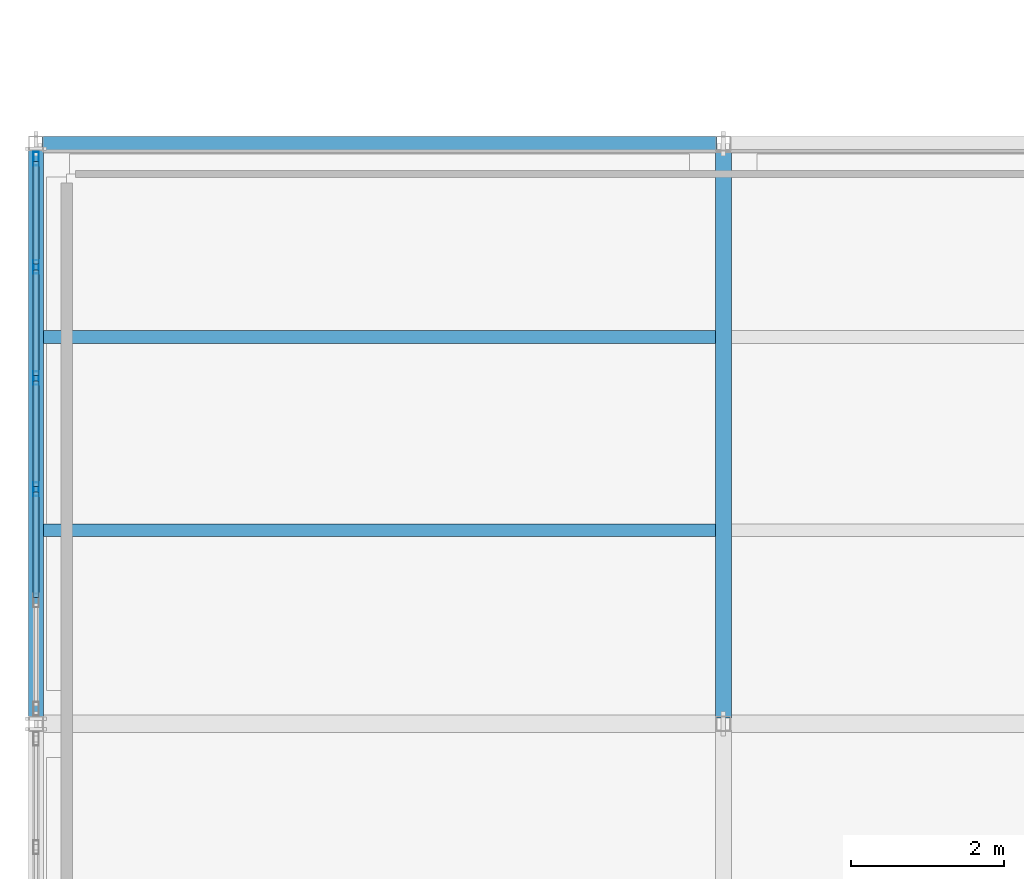
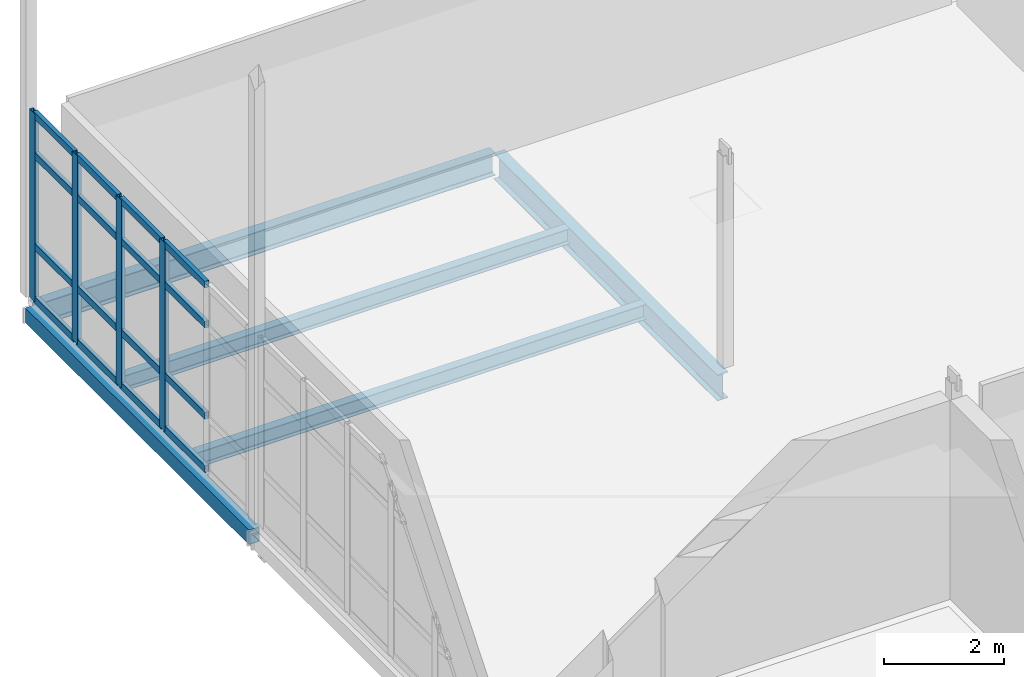
# One storey, part 22 of 96: 20 members, 5 beams, 1 element without a shape of its own.
"""IFC4 building model written with IfcOpenShell, lengths in metres."""

from ifc_helpers import new_model, si_unit, direction, frame, origin, origin_2d, place, context, subcontext, project, spatial, hollow_rectangle, i_section, extrude, material, material_profile, profile_set, type_object, element, aggregate, save


model = new_model("IFC4")

# Units and contexts
model_context = context("Model", 3, precision=1e-05, world=origin(), true_north=direction((0.0, 1.0)))
body_context = subcontext(model_context, "Body", "Model", "MODEL_VIEW")
ifc_project = project(units=[si_unit("LENGTHUNIT", "METRE"), si_unit("AREAUNIT", "SQUARE_METRE"), si_unit("VOLUMEUNIT", "CUBIC_METRE"), si_unit("PLANEANGLEUNIT", "RADIAN"), si_unit("MASSUNIT", "GRAM", prefix="KILO")], contexts=[model_context])

# Site, building, storey
site_placement = place(None, origin())
site = spatial("IfcSite", under=ifc_project, at=site_placement, CompositionType="ELEMENT")
building_placement = place(site_placement, origin())
building = spatial("IfcBuilding", under=site, at=building_placement, Name="Caisbarro Railhouse Central Library", CompositionType="ELEMENT")
storey_placement = place(building_placement, frame((0.0, 0.0, 13.679931640625)))
storey = spatial("IfcBuildingStorey", under=building, at=storey_placement, Name="L03", CompositionType="ELEMENT", Elevation=13.679931640625)

# Beams
ifc_material_1 = material(Name="Steel ASTM A572 Grade 50", Category="steel")
ifc_material_profile_1 = material_profile(ifc_material_1, i_section(OverallWidth=0.208984375, OverallDepth=0.532958984375, WebThickness=0.01025390625, FlangeThickness=0.015625, FilletRadius=0.02001953125, at=origin_2d()), Name="W530X92.0")
ifc_profile_set_1 = profile_set([ifc_material_profile_1], Name="Steel ASTM A572 Grade 50")
beam_type_1 = type_object("IfcBeamType", Name="BM-G06", PredefinedType="BEAM", material=ifc_profile_set_1)
beam_1_placement = place(storey_placement, frame((9.0, 45.679931640625, -0.486328125), z_axis=(0.0, 1.0, 0.0), x_axis=(-1.0, 0.0, 0.0)))
element("IfcBeam", 1, at=beam_1_placement, inside=storey, type_object=beam_type_1, Name="G06 beam L03 #1841", PredefinedType="BEAM", context=body_context, shape_type="SweptSolid", body=[
    extrude(i_section(OverallWidth=0.208984375, OverallDepth=0.532958984375, WebThickness=0.01025390625, FlangeThickness=0.015625, FilletRadius=0.02001953125, at=origin_2d()), origin(), (0.0, 0.0, 1.0), 7.440185546875),
])
ifc_material_profile_2 = material_profile(ifc_material_1, i_section(OverallWidth=0.1650390625, OverallDepth=0.31005859375, WebThickness=0.005859375, FlangeThickness=0.009765625, FilletRadius=0.011962890625, at=origin_2d()), Name="W310X38.7")
ifc_profile_set_2 = profile_set([ifc_material_profile_2], Name="Steel ASTM A572 Grade 50")
beam_type_2 = type_object("IfcBeamType", Name="BM-J03", PredefinedType="JOIST", material=ifc_profile_set_2)
for number, where, z_axis, x_axis, name in (
    (2, (0.10009765625, 48.13330078125, -0.375), (1.0, 0.0, 0.0), (0.0, 1.0, 0.0), "J03 beam L03 #1847"),
    (3, (0.10009765625, 50.666748046875, -0.375), (1.0, 0.0, 0.0), (0.0, 1.0, 0.0), "J03 beam L03 #1848"),
):
    element("IfcBeam", number, at=place(storey_placement, frame(where, z_axis=z_axis, x_axis=x_axis)), inside=storey, type_object=beam_type_2, Name=name, PredefinedType="JOIST", context=body_context, shape_type="SweptSolid", body=[
        extrude(i_section(OverallWidth=0.1650390625, OverallDepth=0.31005859375, WebThickness=0.005859375, FlangeThickness=0.009765625, FilletRadius=0.011962890625, at=origin_2d()), origin(), (0.0, 0.0, 1.0), 8.79541015625),
    ])
ifc_material_profile_3 = material_profile(ifc_material_1, i_section(OverallWidth=0.18994140625, OverallDepth=0.45703125, WebThickness=0.009033203125, FlangeThickness=0.014404296875, FilletRadius=0.01806640625, at=origin_2d()), Name="W460X74.0")
ifc_profile_set_3 = profile_set([ifc_material_profile_3], Name="Steel ASTM A572 Grade 50")
beam_type_3 = type_object("IfcBeamType", Name="BM-SP01", PredefinedType="SPANDREL", material=ifc_profile_set_3)
beam_2_placement = place(storey_placement, frame((0.080078125, 53.199951171875, -0.448486328125), z_axis=(1.0, 0.0, 0.0), x_axis=(0.0, 1.0, 0.0)))
element("IfcBeam", 4, at=beam_2_placement, inside=storey, type_object=beam_type_3, Name="SP01 beam L03 #1834", PredefinedType="SPANDREL", context=body_context, shape_type="SweptSolid", body=[
    extrude(i_section(OverallWidth=0.18994140625, OverallDepth=0.45703125, WebThickness=0.009033203125, FlangeThickness=0.014404296875, FilletRadius=0.01806640625, at=origin_2d()), origin(), (0.0, 0.0, 1.0), 8.83984375),
])
ifc_material_profile_4 = material_profile(ifc_material_1, hollow_rectangle(XDim=0.199951171875, YDim=0.300048828125, WallThickness=0.012451171875, at=origin_2d()), Name="HSS300X200X12.5")
ifc_profile_set_4 = profile_set([ifc_material_profile_4], Name="Steel ASTM A572 Grade 50")
beam_type_4 = type_object("IfcBeamType", Name="BM-SP02", PredefinedType="SPANDREL", material=ifc_profile_set_4)
beam_3_placement = place(storey_placement, frame((0.0, 45.679931640625, -0.369873046875), z_axis=(0.0, 1.0, 0.0), x_axis=(-1.0, 0.0, 0.0)))
element("IfcBeam", 5, at=beam_3_placement, inside=storey, type_object=beam_type_4, Name="SP02 beam L03 #1838", PredefinedType="SPANDREL", context=body_context, shape_type="SweptSolid", body=[
    extrude(hollow_rectangle(XDim=0.199951171875, YDim=0.300048828125, WallThickness=0.012451171875, at=origin_2d()), origin(), (0.0, 0.0, 1.0), 7.440185546875),
])

# Curtain wall, members
ifc_material_2 = material(Name="Anodised architectural aluminium", Category="aluminium")
curtain_wall_type = type_object("IfcCurtainWallType", Name="CW-CW02", PredefinedType="NOTDEFINED", material=ifc_material_2)
curtain_wall_placement = place(storey_placement, origin())
curtain_wall = element("IfcCurtainWall", 6, at=curtain_wall_placement, inside=storey, type_object=curtain_wall_type, Name="CW02 curtain wall L03 #50", PredefinedType="NOTDEFINED")
ifc_material_profile_5 = material_profile(ifc_material_2, hollow_rectangle(XDim=0.074951171875, YDim=0.179931640625, WallThickness=0.00439453125, at=origin_2d()), Name="ALU-MUL-75X180")
ifc_profile_set_5 = profile_set([ifc_material_profile_5], Name="Anodised architectural aluminium")
member_type_1 = type_object("IfcMemberType", Name="CWM-M01", PredefinedType="MULLION", material=ifc_profile_set_5)
member_1_placement = place(storey_placement, frame((0.0, 48.672119140625, 0.0), z_axis=(0.0, 0.0, 1.0), x_axis=(-1.0, 0.0, 0.0)))
member_1 = element("IfcMember", 7, at=member_1_placement, type_object=member_type_1, Name="CW02 mullion 3", PredefinedType="MULLION", context=body_context, shape_type="SweptSolid", body=[
    extrude(hollow_rectangle(XDim=0.074951171875, YDim=0.179931640625, WallThickness=0.00439453125, at=origin_2d()), origin(), (0.0, 0.0, 1.0), 3.820068359375),
])
member_2_placement = place(storey_placement, frame((0.0, 50.1279296875, 0.0), z_axis=(0.0, 0.0, 1.0), x_axis=(-1.0, 0.0, 0.0)))
member_2 = element("IfcMember", 8, at=member_2_placement, type_object=member_type_1, Name="CW02 mullion 4", PredefinedType="MULLION", context=body_context, shape_type="SweptSolid", body=[
    extrude(hollow_rectangle(XDim=0.074951171875, YDim=0.179931640625, WallThickness=0.00439453125, at=origin_2d()), origin(), (0.0, 0.0, 1.0), 3.820068359375),
])
member_3_placement = place(storey_placement, frame((0.0, 51.583984375, 0.0), z_axis=(0.0, 0.0, 1.0), x_axis=(-1.0, 0.0, 0.0)))
member_3 = element("IfcMember", 9, at=member_3_placement, type_object=member_type_1, Name="CW02 mullion 5", PredefinedType="MULLION", context=body_context, shape_type="SweptSolid", body=[
    extrude(hollow_rectangle(XDim=0.074951171875, YDim=0.179931640625, WallThickness=0.00439453125, at=origin_2d()), origin(), (0.0, 0.0, 1.0), 3.820068359375),
])
member_4_placement = place(storey_placement, frame((0.0, 53.00244140625, 0.0), z_axis=(0.0, 0.0, 1.0), x_axis=(-1.0, 0.0, 0.0)))
member_4 = element("IfcMember", 10, at=member_4_placement, type_object=member_type_1, Name="CW02 mullion 6", PredefinedType="MULLION", context=body_context, shape_type="SweptSolid", body=[
    extrude(hollow_rectangle(XDim=0.074951171875, YDim=0.179931640625, WallThickness=0.00439453125, at=origin_2d()), origin(), (0.0, 0.0, 1.0), 3.820068359375),
])
ifc_material_profile_6 = material_profile(ifc_material_2, hollow_rectangle(XDim=0.074951171875, YDim=0.139892578125, WallThickness=0.00390625, at=origin_2d()), Name="ALU-TRN-75X140")
ifc_profile_set_6 = profile_set([ifc_material_profile_6], Name="Anodised architectural aluminium")
member_type_2 = type_object("IfcMemberType", Name="CWT-T01", PredefinedType="USERDEFINED", material=ifc_profile_set_6)
member_5_placement = place(storey_placement, frame((0.0, 47.25341796875, 0.03759765625), z_axis=(0.0, 1.0, 0.0), x_axis=(-1.0, 0.0, 0.0)))
member_5 = element("IfcMember", 11, at=member_5_placement, type_object=member_type_2, Name="CW02 transom 2.1", ObjectType="TRANSOM", PredefinedType="USERDEFINED", context=body_context, shape_type="SweptSolid", body=[
    extrude(hollow_rectangle(XDim=0.074951171875, YDim=0.139892578125, WallThickness=0.00390625, at=origin_2d()), origin(), (0.0, 0.0, 1.0), 1.381103515625),
])
member_6_placement = place(storey_placement, frame((0.0, 47.25341796875, 1.1201171875), z_axis=(0.0, 1.0, 0.0), x_axis=(-1.0, 0.0, 0.0)))
member_6 = element("IfcMember", 12, at=member_6_placement, type_object=member_type_2, Name="CW02 transom 2.2", ObjectType="TRANSOM", PredefinedType="USERDEFINED", context=body_context, shape_type="SweptSolid", body=[
    extrude(hollow_rectangle(XDim=0.074951171875, YDim=0.139892578125, WallThickness=0.00390625, at=origin_2d()), origin(), (0.0, 0.0, 1.0), 1.381103515625),
])
member_7_placement = place(storey_placement, frame((0.0, 47.25341796875, 2.969970703125), z_axis=(0.0, 1.0, 0.0), x_axis=(-1.0, 0.0, 0.0)))
member_7 = element("IfcMember", 13, at=member_7_placement, type_object=member_type_2, Name="CW02 transom 2.3", ObjectType="TRANSOM", PredefinedType="USERDEFINED", context=body_context, shape_type="SweptSolid", body=[
    extrude(hollow_rectangle(XDim=0.074951171875, YDim=0.139892578125, WallThickness=0.00390625, at=origin_2d()), origin(), (0.0, 0.0, 1.0), 1.381103515625),
])
member_8_placement = place(storey_placement, frame((0.0, 47.25341796875, 3.782470703125), z_axis=(0.0, 1.0, 0.0), x_axis=(-1.0, 0.0, 0.0)))
member_8 = element("IfcMember", 14, at=member_8_placement, type_object=member_type_2, Name="CW02 transom 2.4", ObjectType="TRANSOM", PredefinedType="USERDEFINED", context=body_context, shape_type="SweptSolid", body=[
    extrude(hollow_rectangle(XDim=0.074951171875, YDim=0.139892578125, WallThickness=0.00390625, at=origin_2d()), origin(), (0.0, 0.0, 1.0), 1.381103515625),
])
member_9_placement = place(storey_placement, frame((0.0, 48.70947265625, 0.03759765625), z_axis=(0.0, 1.0, 0.0), x_axis=(-1.0, 0.0, 0.0)))
member_9 = element("IfcMember", 15, at=member_9_placement, type_object=member_type_2, Name="CW02 transom 3.1", ObjectType="TRANSOM", PredefinedType="USERDEFINED", context=body_context, shape_type="SweptSolid", body=[
    extrude(hollow_rectangle(XDim=0.074951171875, YDim=0.139892578125, WallThickness=0.00390625, at=origin_2d()), origin(), (0.0, 0.0, 1.0), 1.381103515625),
])
member_10_placement = place(storey_placement, frame((0.0, 48.70947265625, 1.1201171875), z_axis=(0.0, 1.0, 0.0), x_axis=(-1.0, 0.0, 0.0)))
member_10 = element("IfcMember", 16, at=member_10_placement, type_object=member_type_2, Name="CW02 transom 3.2", ObjectType="TRANSOM", PredefinedType="USERDEFINED", context=body_context, shape_type="SweptSolid", body=[
    extrude(hollow_rectangle(XDim=0.074951171875, YDim=0.139892578125, WallThickness=0.00390625, at=origin_2d()), origin(), (0.0, 0.0, 1.0), 1.381103515625),
])
member_11_placement = place(storey_placement, frame((0.0, 48.70947265625, 2.969970703125), z_axis=(0.0, 1.0, 0.0), x_axis=(-1.0, 0.0, 0.0)))
member_11 = element("IfcMember", 17, at=member_11_placement, type_object=member_type_2, Name="CW02 transom 3.3", ObjectType="TRANSOM", PredefinedType="USERDEFINED", context=body_context, shape_type="SweptSolid", body=[
    extrude(hollow_rectangle(XDim=0.074951171875, YDim=0.139892578125, WallThickness=0.00390625, at=origin_2d()), origin(), (0.0, 0.0, 1.0), 1.381103515625),
])
member_12_placement = place(storey_placement, frame((0.0, 48.70947265625, 3.782470703125), z_axis=(0.0, 1.0, 0.0), x_axis=(-1.0, 0.0, 0.0)))
member_12 = element("IfcMember", 18, at=member_12_placement, type_object=member_type_2, Name="CW02 transom 3.4", ObjectType="TRANSOM", PredefinedType="USERDEFINED", context=body_context, shape_type="SweptSolid", body=[
    extrude(hollow_rectangle(XDim=0.074951171875, YDim=0.139892578125, WallThickness=0.00390625, at=origin_2d()), origin(), (0.0, 0.0, 1.0), 1.381103515625),
])
member_13_placement = place(storey_placement, frame((0.0, 50.16552734375, 0.03759765625), z_axis=(0.0, 1.0, 0.0), x_axis=(-1.0, 0.0, 0.0)))
member_13 = element("IfcMember", 19, at=member_13_placement, type_object=member_type_2, Name="CW02 transom 4.1", ObjectType="TRANSOM", PredefinedType="USERDEFINED", context=body_context, shape_type="SweptSolid", body=[
    extrude(hollow_rectangle(XDim=0.074951171875, YDim=0.139892578125, WallThickness=0.00390625, at=origin_2d()), origin(), (0.0, 0.0, 1.0), 1.380859375),
])
member_14_placement = place(storey_placement, frame((0.0, 50.16552734375, 1.1201171875), z_axis=(0.0, 1.0, 0.0), x_axis=(-1.0, 0.0, 0.0)))
member_14 = element("IfcMember", 20, at=member_14_placement, type_object=member_type_2, Name="CW02 transom 4.2", ObjectType="TRANSOM", PredefinedType="USERDEFINED", context=body_context, shape_type="SweptSolid", body=[
    extrude(hollow_rectangle(XDim=0.074951171875, YDim=0.139892578125, WallThickness=0.00390625, at=origin_2d()), origin(), (0.0, 0.0, 1.0), 1.380859375),
])
member_15_placement = place(storey_placement, frame((0.0, 50.16552734375, 2.969970703125), z_axis=(0.0, 1.0, 0.0), x_axis=(-1.0, 0.0, 0.0)))
member_15 = element("IfcMember", 21, at=member_15_placement, type_object=member_type_2, Name="CW02 transom 4.3", ObjectType="TRANSOM", PredefinedType="USERDEFINED", context=body_context, shape_type="SweptSolid", body=[
    extrude(hollow_rectangle(XDim=0.074951171875, YDim=0.139892578125, WallThickness=0.00390625, at=origin_2d()), origin(), (0.0, 0.0, 1.0), 1.380859375),
])
member_16_placement = place(storey_placement, frame((0.0, 50.16552734375, 3.782470703125), z_axis=(0.0, 1.0, 0.0), x_axis=(-1.0, 0.0, 0.0)))
member_16 = element("IfcMember", 22, at=member_16_placement, type_object=member_type_2, Name="CW02 transom 4.4", ObjectType="TRANSOM", PredefinedType="USERDEFINED", context=body_context, shape_type="SweptSolid", body=[
    extrude(hollow_rectangle(XDim=0.074951171875, YDim=0.139892578125, WallThickness=0.00390625, at=origin_2d()), origin(), (0.0, 0.0, 1.0), 1.380859375),
])
member_17_placement = place(storey_placement, frame((0.0, 51.62158203125, 0.03759765625), z_axis=(0.0, 1.0, 0.0), x_axis=(-1.0, 0.0, 0.0)))
member_17 = element("IfcMember", 23, at=member_17_placement, type_object=member_type_2, Name="CW02 transom 5.1", ObjectType="TRANSOM", PredefinedType="USERDEFINED", context=body_context, shape_type="SweptSolid", body=[
    extrude(hollow_rectangle(XDim=0.074951171875, YDim=0.139892578125, WallThickness=0.00390625, at=origin_2d()), origin(), (0.0, 0.0, 1.0), 1.343505859375),
])
member_18_placement = place(storey_placement, frame((0.0, 51.62158203125, 1.1201171875), z_axis=(0.0, 1.0, 0.0), x_axis=(-1.0, 0.0, 0.0)))
member_18 = element("IfcMember", 24, at=member_18_placement, type_object=member_type_2, Name="CW02 transom 5.2", ObjectType="TRANSOM", PredefinedType="USERDEFINED", context=body_context, shape_type="SweptSolid", body=[
    extrude(hollow_rectangle(XDim=0.074951171875, YDim=0.139892578125, WallThickness=0.00390625, at=origin_2d()), origin(), (0.0, 0.0, 1.0), 1.343505859375),
])
member_19_placement = place(storey_placement, frame((0.0, 51.62158203125, 2.969970703125), z_axis=(0.0, 1.0, 0.0), x_axis=(-1.0, 0.0, 0.0)))
member_19 = element("IfcMember", 25, at=member_19_placement, type_object=member_type_2, Name="CW02 transom 5.3", ObjectType="TRANSOM", PredefinedType="USERDEFINED", context=body_context, shape_type="SweptSolid", body=[
    extrude(hollow_rectangle(XDim=0.074951171875, YDim=0.139892578125, WallThickness=0.00390625, at=origin_2d()), origin(), (0.0, 0.0, 1.0), 1.343505859375),
])
member_20_placement = place(storey_placement, frame((0.0, 51.62158203125, 3.782470703125), z_axis=(0.0, 1.0, 0.0), x_axis=(-1.0, 0.0, 0.0)))
member_20 = element("IfcMember", 26, at=member_20_placement, type_object=member_type_2, Name="CW02 transom 5.4", ObjectType="TRANSOM", PredefinedType="USERDEFINED", context=body_context, shape_type="SweptSolid", body=[
    extrude(hollow_rectangle(XDim=0.074951171875, YDim=0.139892578125, WallThickness=0.00390625, at=origin_2d()), origin(), (0.0, 0.0, 1.0), 1.343505859375),
])
aggregate(curtain_wall, [member_1, member_2, member_3, member_4, member_5, member_6, member_7, member_8, member_9, member_10, member_11, member_12, member_13, member_14, member_15, member_16, member_17, member_18, member_19, member_20])

save(model, "model.ifc")
